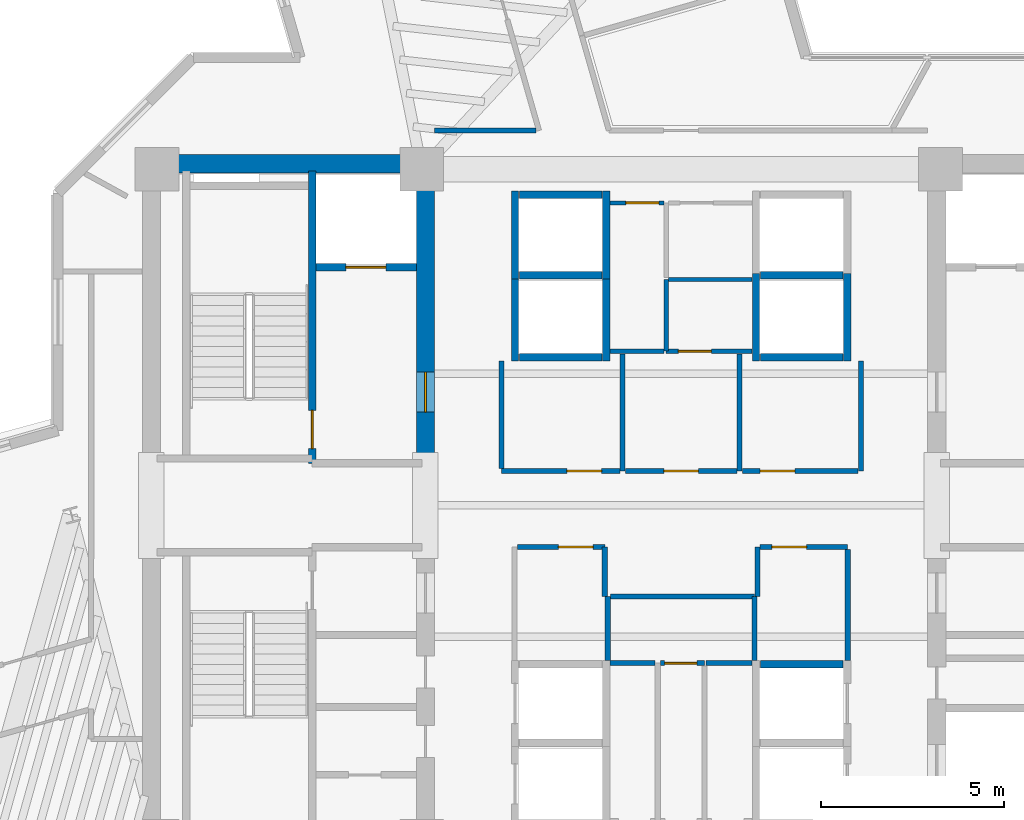
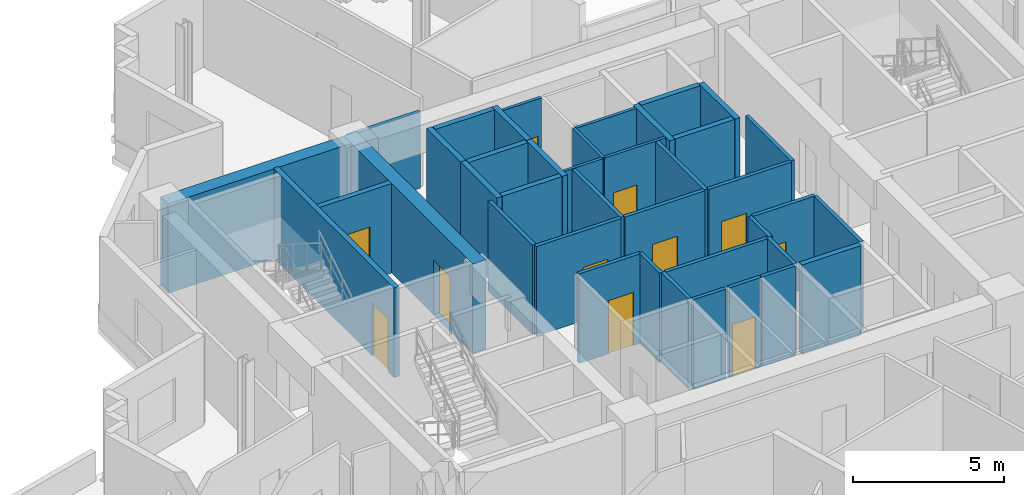
# One storey, part 8 of 14: 40 walls, 11 doors, 11 openings.
"""IFC4 building model written with IfcOpenShell, lengths in metres."""

from ifc_helpers import new_model, si_unit, direction, frame, frame_2d, origin, place, context, subcontext, project, spatial, rectangle, extrude, source, transform, mapped, material, layer, layer_set, type_object, element, fill, save


model = new_model("IFC4")

# Units and contexts
model_context = context("Model", 3, precision=1e-05, world=origin(), true_north=direction((0.0, 1.0)))
body_context = subcontext(model_context, "Body", "Model", "MODEL_VIEW")
ifc_project = project(units=[si_unit("LENGTHUNIT", "METRE"), si_unit("AREAUNIT", "SQUARE_METRE"), si_unit("VOLUMEUNIT", "CUBIC_METRE"), si_unit("PLANEANGLEUNIT", "RADIAN"), si_unit("MASSUNIT", "GRAM", prefix="KILO")], contexts=[model_context])

# Site, building, storey
site_placement = place(None, origin())
site = spatial("IfcSite", under=ifc_project, at=site_placement, CompositionType="ELEMENT")
building_placement = place(site_placement, origin())
building = spatial("IfcBuilding", under=site, at=building_placement, Name="Zahravan Cultural Tower", CompositionType="ELEMENT")
storey_placement = place(building_placement, frame((0.0, 0.0, 201.89990234375)))
storey = spatial("IfcBuildingStorey", under=building, at=storey_placement, Name="L47", CompositionType="ELEMENT", Elevation=201.89990234375)

# Wall, opening, door
ifc_material_1 = material(Name="Concrete C60/75", Category="concrete")
ifc_layer_1 = layer(ifc_material_1, 0.5)
ifc_layer_set_1 = layer_set([ifc_layer_1], Name="Concrete C60/75")
wall_type_1 = type_object("IfcWallType", Name="CW-SHEAR-500-C60", PredefinedType="SHEAR", material=ifc_layer_set_1)
wall_1_placement = place(storey_placement, frame((29.0, 28.050048828125, 0.0), z_axis=(0.0, 0.0, 1.0), x_axis=(0.0, 1.0, 0.0)))
wall_1 = element("IfcWall", 1, at=wall_1_placement, inside=storey, type_object=wall_type_1, Name="L47 Core Shear Wall CW-W-EN-L47", PredefinedType="SHEAR", context=body_context, shape_type="SweptSolid", body=[
    extrude(rectangle(XDim=8.550048828125, YDim=0.5, at=frame_2d((4.27490234375, 0.0))), origin(), (0.0, 0.0, 1.0), 3.6201171875),
])
opening_1_placement = place(wall_1_placement, frame((1.5, 0.0, 0.0)))
opening_1 = element("IfcOpeningElement", 2, at=opening_1_placement, cuts=wall_1, Name="Opening D-L47-05", PredefinedType="OPENING", context=body_context, shape_type="SweptSolid", body=[
    extrude(rectangle(XDim=1.10009765625, YDim=2.199951171875, at=frame_2d((0.550048828125, 1.10009765625))), frame((0.0, 0.260009765625, 0.0), z_axis=(0.0, -1.0, 0.0), x_axis=(1.0, 0.0, 0.0)), (0.0, 0.0, 1.0), 0.52001953125),
])
ifc_material_2 = material(Name="Steel ASTM A572 Grade 50", Category="steel")
door_type_1 = type_object("IfcDoorType", Name="DR-LOBBY-1100", OperationType="NOTDEFINED", PredefinedType="DOOR", material=ifc_material_2)
shared_shape_1 = source(origin(), body_context, "Body", "SweptSolid", [
    extrude(rectangle(XDim=1.10009765625, YDim=2.199951171875, at=frame_2d((0.550048828125, 1.10009765625))), frame((0.0, 0.02490234375, 0.0), z_axis=(0.0, -1.0, 0.0), x_axis=(1.0, 0.0, 0.0)), (0.0, 0.0, 1.0), 0.050048828125),
])
door_1_placement = place(opening_1_placement, origin())
door_1 = element("IfcDoor", 3, at=door_1_placement, inside=storey, type_object=door_type_1, Name="L47 Door D-L47-05", OperationType="SINGLE_SWING_LEFT", OverallHeight=2.199951171875, OverallWidth=1.10009765625, PredefinedType="DOOR", context=body_context, shape_type="MappedRepresentation", body=[
    mapped(shared_shape_1, transform((0.0, 0.0, 0.0), x_axis=(1.0, 0.0, 0.0), y_axis=(0.0, 1.0, 0.0), z_axis=(0.0, 0.0, 1.0), scale=1.0)),
])
fill(opening_1, door_1)

ifc_material_3 = material(Name="Gypsum plasterboard partition")
ifc_layer_2 = layer(ifc_material_3, 0.139892578125)
ifc_layer_set_2 = layer_set([ifc_layer_2], Name="Gypsum plasterboard partition")
wall_type_2 = type_object("IfcWallType", Name="W-PART-140", PredefinedType="PARTITIONING", material=ifc_layer_set_2)
wall_2_placement = place(storey_placement, frame((35.43505859375, 22.679931640625, 0.0), z_axis=(0.0, 0.0, 1.0), x_axis=(1.0, 0.0, 0.0)))
wall_2 = element("IfcWall", 4, at=wall_2_placement, inside=storey, type_object=wall_type_2, Name="L47 Interior Wall 063", PredefinedType="PARTITIONING", context=body_context, shape_type="SweptSolid", body=[
    extrude(rectangle(XDim=1.204833984375, YDim=0.139892578125, at=frame_2d((0.6025390625, 0.0))), origin(), (0.0, 0.0, 1.0), 3.6201171875),
])
opening_2_placement = place(wall_2_placement, frame((0.11376953125, 0.0, 0.0)))
opening_2 = element("IfcOpeningElement", 5, at=opening_2_placement, cuts=wall_2, Name="Opening D-L47-34", PredefinedType="OPENING", context=body_context, shape_type="SweptSolid", body=[
    extrude(rectangle(XDim=0.8798828125, YDim=2.10009765625, at=frame_2d((0.43994140625, 1.050048828125))), frame((0.0, 0.079833984375, 0.0), z_axis=(0.0, -1.0, 0.0), x_axis=(1.0, 0.0, 0.0)), (0.0, 0.0, 1.0), 0.159912109375),
])
ifc_material_4 = material(Name="Anodised bronze-aluminium mullion", Category="aluminium")
door_type_2 = type_object("IfcDoorType", Name="DR-ROOM-880", OperationType="NOTDEFINED", PredefinedType="DOOR", material=ifc_material_4)
shared_shape_2 = source(origin(), body_context, "Body", "SweptSolid", [
    extrude(rectangle(XDim=0.8798828125, YDim=2.10009765625, at=frame_2d((0.43994140625, 1.050048828125))), frame((0.0, 0.02490234375, 0.0), z_axis=(0.0, -1.0, 0.0), x_axis=(1.0, 0.0, 0.0)), (0.0, 0.0, 1.0), 0.050048828125),
])
door_2_placement = place(opening_2_placement, origin())
door_2 = element("IfcDoor", 6, at=door_2_placement, inside=storey, type_object=door_type_2, Name="L47 Door D-L47-34", OperationType="SINGLE_SWING_RIGHT", OverallHeight=2.10009765625, OverallWidth=0.8798828125, PredefinedType="DOOR", context=body_context, shape_type="MappedRepresentation", body=[
    mapped(shared_shape_2, transform((0.0, 0.0, 0.0), x_axis=(1.0, 0.0, 0.0), y_axis=(0.0, 1.0, 0.0), z_axis=(0.0, 0.0, 1.0), scale=1.0)),
])
fill(opening_2, door_2)

wall_3_placement = place(storey_placement, frame((31.514892578125, 25.860107421875, 0.0), z_axis=(0.0, 0.0, 1.0), x_axis=(1.0, 0.0, 0.0)))
wall_3 = element("IfcWall", 7, at=wall_3_placement, inside=storey, type_object=wall_type_2, Name="L47 Interior Wall 076", PredefinedType="PARTITIONING", context=body_context, shape_type="SweptSolid", body=[
    extrude(rectangle(XDim=2.39501953125, YDim=0.139892578125, at=frame_2d((1.197509765625, 0.0))), origin(), (0.0, 0.0, 1.0), 3.6201171875),
])
opening_3_placement = place(wall_3_placement, frame((1.127197265625, 0.0, 0.0)))
opening_3 = element("IfcOpeningElement", 8, at=opening_3_placement, cuts=wall_3, Name="Opening D-L47-13", PredefinedType="OPENING", context=body_context, shape_type="SweptSolid", body=[
    extrude(rectangle(XDim=0.949951171875, YDim=2.14990234375, at=frame_2d((0.47509765625, 1.074951171875))), frame((0.0, 0.079833984375, 0.0), z_axis=(0.0, -1.0, 0.0), x_axis=(1.0, 0.0, 0.0)), (0.0, 0.0, 1.0), 0.159912109375),
])
door_type_3 = type_object("IfcDoorType", Name="DR-ROOM-950", OperationType="NOTDEFINED", PredefinedType="DOOR", material=ifc_material_4)
shared_shape_3 = source(origin(), body_context, "Body", "SweptSolid", [
    extrude(rectangle(XDim=0.949951171875, YDim=2.14990234375, at=frame_2d((0.47509765625, 1.074951171875))), frame((0.0, 0.02490234375, 0.0), z_axis=(0.0, -1.0, 0.0), x_axis=(1.0, 0.0, 0.0)), (0.0, 0.0, 1.0), 0.050048828125),
])
door_3_placement = place(opening_3_placement, origin())
door_3 = element("IfcDoor", 9, at=door_3_placement, inside=storey, type_object=door_type_3, Name="L47 Door D-L47-13", OperationType="SINGLE_SWING_LEFT", OverallHeight=2.14990234375, OverallWidth=0.949951171875, PredefinedType="DOOR", context=body_context, shape_type="MappedRepresentation", body=[
    mapped(shared_shape_3, transform((0.0, 0.0, 0.0), x_axis=(1.0, 0.0, 0.0), y_axis=(0.0, 1.0, 0.0), z_axis=(0.0, 0.0, 1.0), scale=1.0)),
])
fill(opening_3, door_3)

wall_4_placement = place(storey_placement, frame((38.1650390625, 25.860107421875, 0.0), z_axis=(0.0, 0.0, 1.0), x_axis=(1.0, 0.0, 0.0)))
wall_4 = element("IfcWall", 10, at=wall_4_placement, inside=storey, type_object=wall_type_2, Name="L47 Interior Wall 079", PredefinedType="PARTITIONING", context=body_context, shape_type="SweptSolid", body=[
    extrude(rectangle(XDim=2.39501953125, YDim=0.139892578125, at=frame_2d((1.197509765625, 0.0))), origin(), (0.0, 0.0, 1.0), 3.6201171875),
])
opening_4_placement = place(wall_4_placement, frame((0.31787109375, 0.0, 0.0)))
opening_4 = element("IfcOpeningElement", 11, at=opening_4_placement, cuts=wall_4, Name="Opening D-L47-14", PredefinedType="OPENING", context=body_context, shape_type="SweptSolid", body=[
    extrude(rectangle(XDim=0.949951171875, YDim=2.14990234375, at=frame_2d((0.47509765625, 1.074951171875))), frame((0.0, 0.079833984375, 0.0), z_axis=(0.0, -1.0, 0.0), x_axis=(1.0, 0.0, 0.0)), (0.0, 0.0, 1.0), 0.159912109375),
])
door_4_placement = place(opening_4_placement, origin())
door_4 = element("IfcDoor", 12, at=door_4_placement, inside=storey, type_object=door_type_3, Name="L47 Door D-L47-14", OperationType="SINGLE_SWING_RIGHT", OverallHeight=2.14990234375, OverallWidth=0.949951171875, PredefinedType="DOOR", context=body_context, shape_type="MappedRepresentation", body=[
    mapped(shared_shape_3, transform((0.0, 0.0, 0.0), x_axis=(1.0, 0.0, 0.0), y_axis=(0.0, 1.0, 0.0), z_axis=(0.0, 0.0, 1.0), scale=1.0)),
])
fill(opening_4, door_4)

wall_5_placement = place(storey_placement, frame((37.52490234375, 27.93994140625, 0.0), z_axis=(0.0, 0.0, 1.0), x_axis=(-1.0, 0.0, 0.0)))
wall_5 = element("IfcWall", 13, at=wall_5_placement, inside=storey, type_object=wall_type_2, Name="L47 Interior Wall 083", PredefinedType="PARTITIONING", context=body_context, shape_type="SweptSolid", body=[
    extrude(rectangle(XDim=3.0498046875, YDim=0.139892578125, at=frame_2d((1.52490234375, 0.0))), origin(), (0.0, 0.0, 1.0), 3.6201171875),
])
opening_5_placement = place(wall_5_placement, frame((1.050048828125, 0.0, 0.0)))
opening_5 = element("IfcOpeningElement", 14, at=opening_5_placement, cuts=wall_5, Name="Opening D-L47-18", PredefinedType="OPENING", context=body_context, shape_type="SweptSolid", body=[
    extrude(rectangle(XDim=0.949951171875, YDim=2.14990234375, at=frame_2d((0.47509765625, 1.074951171875))), frame((0.0, 0.079833984375, 0.0), z_axis=(0.0, -1.0, 0.0), x_axis=(1.0, 0.0, 0.0)), (0.0, 0.0, 1.0), 0.159912109375),
])
door_5_placement = place(opening_5_placement, origin())
door_5 = element("IfcDoor", 15, at=door_5_placement, inside=storey, type_object=door_type_3, Name="L47 Door D-L47-18", OperationType="SINGLE_SWING_RIGHT", OverallHeight=2.14990234375, OverallWidth=0.949951171875, PredefinedType="DOOR", context=body_context, shape_type="MappedRepresentation", body=[
    mapped(shared_shape_3, transform((0.0, 0.0, 0.0), x_axis=(1.0, 0.0, 0.0), y_axis=(0.0, 1.0, 0.0), z_axis=(0.0, 0.0, 1.0), scale=1.0)),
])
fill(opening_5, door_5)

wall_6_placement = place(storey_placement, frame((34.324951171875, 27.93994140625, 0.0), z_axis=(0.0, 0.0, 1.0), x_axis=(-1.0, 0.0, 0.0)))
wall_6 = element("IfcWall", 16, at=wall_6_placement, inside=storey, type_object=wall_type_2, Name="L47 Interior Wall 084", PredefinedType="PARTITIONING", context=body_context, shape_type="SweptSolid", body=[
    extrude(rectangle(XDim=3.244873046875, YDim=0.139892578125, at=frame_2d((1.62255859375, 0.0))), origin(), (0.0, 0.0, 1.0), 3.6201171875),
])
opening_6_placement = place(wall_6_placement, frame((0.5048828125, 0.0, 0.0)))
opening_6 = element("IfcOpeningElement", 17, at=opening_6_placement, cuts=wall_6, Name="Opening D-L47-17", PredefinedType="OPENING", context=body_context, shape_type="SweptSolid", body=[
    extrude(rectangle(XDim=0.949951171875, YDim=2.14990234375, at=frame_2d((0.47509765625, 1.074951171875))), frame((0.0, 0.079833984375, 0.0), z_axis=(0.0, -1.0, 0.0), x_axis=(1.0, 0.0, 0.0)), (0.0, 0.0, 1.0), 0.159912109375),
])
door_6_placement = place(opening_6_placement, origin())
door_6 = element("IfcDoor", 18, at=door_6_placement, inside=storey, type_object=door_type_3, Name="L47 Door D-L47-17", OperationType="SINGLE_SWING_LEFT", OverallHeight=2.14990234375, OverallWidth=0.949951171875, PredefinedType="DOOR", context=body_context, shape_type="MappedRepresentation", body=[
    mapped(shared_shape_3, transform((0.0, 0.0, 0.0), x_axis=(1.0, 0.0, 0.0), y_axis=(0.0, 1.0, 0.0), z_axis=(0.0, 0.0, 1.0), scale=1.0)),
])
fill(opening_6, door_6)

wall_7_placement = place(storey_placement, frame((40.844970703125, 27.93994140625, 0.0), z_axis=(0.0, 0.0, 1.0), x_axis=(-1.0, 0.0, 0.0)))
wall_7 = element("IfcWall", 19, at=wall_7_placement, inside=storey, type_object=wall_type_2, Name="L47 Interior Wall 087", PredefinedType="PARTITIONING", context=body_context, shape_type="SweptSolid", body=[
    extrude(rectangle(XDim=3.169921875, YDim=0.139892578125, at=frame_2d((1.5849609375, 0.0))), origin(), (0.0, 0.0, 1.0), 3.6201171875),
])
opening_7_placement = place(wall_7_placement, frame((1.731689453125, 0.0, 0.0)))
opening_7 = element("IfcOpeningElement", 20, at=opening_7_placement, cuts=wall_7, Name="Opening D-L47-19", PredefinedType="OPENING", context=body_context, shape_type="SweptSolid", body=[
    extrude(rectangle(XDim=0.949951171875, YDim=2.14990234375, at=frame_2d((0.47509765625, 1.074951171875))), frame((0.0, 0.079833984375, 0.0), z_axis=(0.0, -1.0, 0.0), x_axis=(1.0, 0.0, 0.0)), (0.0, 0.0, 1.0), 0.159912109375),
])
door_7_placement = place(opening_7_placement, origin())
door_7 = element("IfcDoor", 21, at=door_7_placement, inside=storey, type_object=door_type_3, Name="L47 Door D-L47-19", OperationType="SINGLE_SWING_LEFT", OverallHeight=2.14990234375, OverallWidth=0.949951171875, PredefinedType="DOOR", context=body_context, shape_type="MappedRepresentation", body=[
    mapped(shared_shape_3, transform((0.0, 0.0, 0.0), x_axis=(1.0, 0.0, 0.0), y_axis=(0.0, 1.0, 0.0), z_axis=(0.0, 0.0, 1.0), scale=1.0)),
])
fill(opening_7, door_7)

ifc_material_5 = material(Name="Concrete C45/55", Category="concrete")
ifc_layer_3 = layer(ifc_material_5, 0.199951171875)
ifc_layer_set_3 = layer_set([ifc_layer_3], Name="Concrete C45/55")
wall_type_3 = type_object("IfcWallType", Name="W-SHAFT-200", PredefinedType="SOLIDWALL", material=ifc_layer_set_3)
wall_8_placement = place(storey_placement, frame((25.89990234375, 28.14990234375, 0.0), z_axis=(0.0, 0.0, 1.0), x_axis=(0.0, 1.0, 0.0)))
wall_8 = element("IfcWall", 22, at=wall_8_placement, inside=storey, type_object=wall_type_3, Name="L47 Interior Wall 006", PredefinedType="SOLIDWALL", context=body_context, shape_type="SweptSolid", body=[
    extrude(rectangle(XDim=8.0, YDim=0.199951171875, at=frame_2d((4.0, 0.0))), origin(), (0.0, 0.0, 1.0), 3.6201171875),
])
opening_8_placement = place(wall_8_placement, frame((0.39990234375, 0.0, 0.0)))
opening_8 = element("IfcOpeningElement", 23, at=opening_8_placement, cuts=wall_8, Name="Opening D-L47-01", PredefinedType="OPENING", context=body_context, shape_type="SweptSolid", body=[
    extrude(rectangle(XDim=1.050048828125, YDim=2.14990234375, at=frame_2d((0.52490234375, 1.074951171875))), frame((0.0, 0.10986328125, 0.0), z_axis=(0.0, -1.0, 0.0), x_axis=(1.0, 0.0, 0.0)), (0.0, 0.0, 1.0), 0.219970703125),
])
door_type_4 = type_object("IfcDoorType", Name="DR-STAIR-1050", OperationType="NOTDEFINED", PredefinedType="DOOR", material=ifc_material_2)
shared_shape_4 = source(origin(), body_context, "Body", "SweptSolid", [
    extrude(rectangle(XDim=1.050048828125, YDim=2.14990234375, at=frame_2d((0.52490234375, 1.074951171875))), frame((0.0, 0.02490234375, 0.0), z_axis=(0.0, -1.0, 0.0), x_axis=(1.0, 0.0, 0.0)), (0.0, 0.0, 1.0), 0.050048828125),
])
door_8_placement = place(opening_8_placement, origin())
door_8 = element("IfcDoor", 24, at=door_8_placement, inside=storey, type_object=door_type_4, Name="L47 Door D-L47-01", OperationType="SINGLE_SWING_LEFT", OverallHeight=2.14990234375, OverallWidth=1.050048828125, PredefinedType="DOOR", context=body_context, shape_type="MappedRepresentation", body=[
    mapped(shared_shape_4, transform((0.0, 0.0, 0.0), x_axis=(1.0, 0.0, 0.0), y_axis=(0.0, 1.0, 0.0), z_axis=(0.0, 0.0, 1.0), scale=1.0)),
])
fill(opening_8, door_8)

wall_9_placement = place(storey_placement, frame((26.0, 33.52001953125, 0.0), z_axis=(0.0, 0.0, 1.0), x_axis=(1.0, 0.0, 0.0)))
wall_9 = element("IfcWall", 25, at=wall_9_placement, inside=storey, type_object=wall_type_3, Name="L47 Interior Wall 021", PredefinedType="SOLIDWALL", context=body_context, shape_type="SweptSolid", body=[
    extrude(rectangle(XDim=2.75, YDim=0.199951171875, at=frame_2d((1.375, 0.0))), origin(), (0.0, 0.0, 1.0), 3.6201171875),
])
opening_9_placement = place(wall_9_placement, frame((0.820068359375, 0.0, 0.0)))
opening_9 = element("IfcOpeningElement", 26, at=opening_9_placement, cuts=wall_9, Name="Opening LD-L47-01", PredefinedType="OPENING", context=body_context, shape_type="SweptSolid", body=[
    extrude(rectangle(XDim=1.10009765625, YDim=2.14990234375, at=frame_2d((0.550048828125, 1.074951171875))), frame((0.0, 0.10986328125, 0.0), z_axis=(0.0, -1.0, 0.0), x_axis=(1.0, 0.0, 0.0)), (0.0, 0.0, 1.0), 0.219970703125),
])
door_type_5 = type_object("IfcDoorType", Name="DR-LIFT-1100", OperationType="DOUBLE_DOOR_SLIDING", PredefinedType="DOOR", material=ifc_material_2)
shared_shape_5 = source(origin(), body_context, "Body", "SweptSolid", [
    extrude(rectangle(XDim=1.10009765625, YDim=2.14990234375, at=frame_2d((0.550048828125, 1.074951171875))), frame((0.0, 0.02490234375, 0.0), z_axis=(0.0, -1.0, 0.0), x_axis=(1.0, 0.0, 0.0)), (0.0, 0.0, 1.0), 0.050048828125),
])
door_9_placement = place(opening_9_placement, origin())
door_9 = element("IfcDoor", 27, at=door_9_placement, inside=storey, type_object=door_type_5, Name="L47 Door LD-L47-01", OperationType="DOUBLE_DOOR_SLIDING", OverallHeight=2.14990234375, OverallWidth=1.10009765625, PredefinedType="DOOR", context=body_context, shape_type="MappedRepresentation", body=[
    mapped(shared_shape_5, transform((0.0, 0.0, 0.0), x_axis=(1.0, 0.0, 0.0), y_axis=(0.0, 1.0, 0.0), z_axis=(0.0, 0.0, 1.0), scale=1.0)),
])
fill(opening_9, door_9)

ifc_layer_4 = layer(ifc_material_3, 0.114990234375)
ifc_layer_set_4 = layer_set([ifc_layer_4], Name="Gypsum plasterboard partition")
wall_type_4 = type_object("IfcWallType", Name="W-WC-115", PredefinedType="PARTITIONING", material=ifc_layer_set_4)
wall_10_placement = place(storey_placement, frame((37.945068359375, 31.219970703125, 0.0), z_axis=(0.0, 0.0, 1.0), x_axis=(-1.0, 0.0, 0.0)))
wall_10 = element("IfcWall", 28, at=wall_10_placement, inside=storey, type_object=wall_type_4, Name="L47 Interior Wall 057", PredefinedType="PARTITIONING", context=body_context, shape_type="SweptSolid", body=[
    extrude(rectangle(XDim=2.35498046875, YDim=0.114990234375, at=frame_2d((1.177490234375, 0.0))), origin(), (0.0, 0.0, 1.0), 3.6201171875),
])
opening_10_placement = place(wall_10_placement, frame((1.120849609375, 0.0, 0.0)))
opening_10 = element("IfcOpeningElement", 29, at=opening_10_placement, cuts=wall_10, Name="Opening D-L47-35", PredefinedType="OPENING", context=body_context, shape_type="SweptSolid", body=[
    extrude(rectangle(XDim=0.89990234375, YDim=2.10009765625, at=frame_2d((0.449951171875, 1.050048828125))), frame((0.0, 0.0673828125, 0.0), z_axis=(0.0, -1.0, 0.0), x_axis=(1.0, 0.0, 0.0)), (0.0, 0.0, 1.0), 0.135009765625),
])
door_type_6 = type_object("IfcDoorType", Name="DR-WC-900", OperationType="NOTDEFINED", PredefinedType="DOOR", material=ifc_material_4)
shared_shape_6 = source(origin(), body_context, "Body", "SweptSolid", [
    extrude(rectangle(XDim=0.89990234375, YDim=2.10009765625, at=frame_2d((0.449951171875, 1.050048828125))), frame((0.0, 0.02490234375, 0.0), z_axis=(0.0, -1.0, 0.0), x_axis=(1.0, 0.0, 0.0)), (0.0, 0.0, 1.0), 0.050048828125),
])
door_10_placement = place(opening_10_placement, origin())
door_10 = element("IfcDoor", 30, at=door_10_placement, inside=storey, type_object=door_type_6, Name="L47 Door D-L47-35", OperationType="SINGLE_SWING_LEFT", OverallHeight=2.10009765625, OverallWidth=0.89990234375, PredefinedType="DOOR", context=body_context, shape_type="MappedRepresentation", body=[
    mapped(shared_shape_6, transform((0.0, 0.0, 0.0), x_axis=(1.0, 0.0, 0.0), y_axis=(0.0, 1.0, 0.0), z_axis=(0.0, 0.0, 1.0), scale=1.0)),
])
fill(opening_10, door_10)

wall_11_placement = place(storey_placement, frame((34.054931640625, 35.280029296875, 0.0), z_axis=(0.0, 0.0, 1.0), x_axis=(1.0, 0.0, 0.0)))
wall_11 = element("IfcWall", 31, at=wall_11_placement, inside=storey, type_object=wall_type_4, Name="L47 Interior Wall 071", PredefinedType="PARTITIONING", context=body_context, shape_type="SweptSolid", body=[
    extrude(rectangle(XDim=1.47265625, YDim=0.114990234375, at=frame_2d((0.736328125, 0.0))), origin(), (0.0, 0.0, 1.0), 3.6201171875),
])
opening_11_placement = place(wall_11_placement, frame((0.4326171875, 0.0, 0.0)))
opening_11 = element("IfcOpeningElement", 32, at=opening_11_placement, cuts=wall_11, Name="Opening D-L47-15", PredefinedType="OPENING", context=body_context, shape_type="SweptSolid", body=[
    extrude(rectangle(XDim=0.89990234375, YDim=2.10009765625, at=frame_2d((0.449951171875, 1.050048828125))), frame((0.0, 0.0673828125, 0.0), z_axis=(0.0, -1.0, 0.0), x_axis=(1.0, 0.0, 0.0)), (0.0, 0.0, 1.0), 0.135009765625),
])
door_11_placement = place(opening_11_placement, origin())
door_11 = element("IfcDoor", 33, at=door_11_placement, inside=storey, type_object=door_type_6, Name="L47 Door D-L47-15", OperationType="SINGLE_SWING_LEFT", OverallHeight=2.10009765625, OverallWidth=0.89990234375, PredefinedType="DOOR", context=body_context, shape_type="MappedRepresentation", body=[
    mapped(shared_shape_6, transform((0.0, 0.0, 0.0), x_axis=(1.0, 0.0, 0.0), y_axis=(0.0, 1.0, 0.0), z_axis=(0.0, 0.0, 1.0), scale=1.0)),
])
fill(opening_11, door_11)

# Walls
shared_shape_7 = source(origin(), body_context, "Body", "SweptSolid", [
    extrude(rectangle(XDim=7.0, YDim=0.5, at=frame_2d((3.5, 0.0))), origin(), (0.0, 0.0, 1.0), 3.6201171875),
])
wall_12_placement = place(storey_placement, frame((21.75, 36.35009765625, 0.0), z_axis=(0.0, 0.0, 1.0), x_axis=(1.0, 0.0, 0.0)))
element("IfcWall", 34, at=wall_12_placement, inside=storey, type_object=wall_type_1, Name="L47 Core Shear Wall CW-W-N-L47", PredefinedType="SHEAR", context=body_context, shape_type="MappedRepresentation", body=[
    mapped(shared_shape_7, transform((0.0, 0.0, 0.0), x_axis=(1.0, 0.0, 0.0), y_axis=(0.0, 1.0, 0.0), z_axis=(0.0, 0.0, 1.0), scale=1.0)),
])
shared_shape_8 = source(origin(), body_context, "Body", "SweptSolid", [
    extrude(rectangle(XDim=2.400146484375, YDim=0.199951171875, at=frame_2d((1.2001953125, 0.0))), origin(), (0.0, 0.0, 1.0), 3.6201171875),
])
for number, where, z_axis, x_axis, name in (
    (35, (31.449951171875, 33.199951171875, 0.0), (0.0, 0.0, 1.0), (0.0, 1.0, 0.0), "L47 Interior Wall 029"),
    (36, (33.949951171875, 33.199951171875, 0.0), (0.0, 0.0, 1.0), (0.0, 1.0, 0.0), "L47 Interior Wall 030"),
    (37, (31.449951171875, 30.949951171875, 0.0), (0.0, 0.0, 1.0), (0.0, 1.0, 0.0), "L47 Interior Wall 033"),
    (38, (33.949951171875, 30.949951171875, 0.0), (0.0, 0.0, 1.0), (0.0, 1.0, 0.0), "L47 Interior Wall 034"),
    (39, (38.050048828125, 30.949951171875, 0.0), (0.0, 0.0, 1.0), (0.0, 1.0, 0.0), "L47 Interior Wall 040"),
    (40, (40.550048828125, 30.949951171875, 0.0), (0.0, 0.0, 1.0), (0.0, 1.0, 0.0), "L47 Interior Wall 041"),
):
    element("IfcWall", number, at=place(storey_placement, frame(where, z_axis=z_axis, x_axis=x_axis)), inside=storey, type_object=wall_type_3, Name=name, PredefinedType="SOLIDWALL", context=body_context, shape_type="MappedRepresentation", body=[
        mapped(shared_shape_8, transform((0.0, 0.0, 0.0), x_axis=(1.0, 0.0, 0.0), y_axis=(0.0, 1.0, 0.0), z_axis=(0.0, 0.0, 1.0), scale=1.0)),
    ])
shared_shape_9 = source(origin(), body_context, "Body", "SweptSolid", [
    extrude(rectangle(XDim=2.260009765625, YDim=0.199951171875, at=frame_2d((1.1298828125, 0.0))), origin(), (0.0, 0.0, 1.0), 3.6201171875),
])
for number, where, z_axis, x_axis, name in (
    (41, (31.570068359375, 33.300048828125, 0.0), (0.0, 0.0, 1.0), (1.0, 0.0, 0.0), "L47 Interior Wall 031"),
    (42, (31.570068359375, 35.5, 0.0), (0.0, 0.0, 1.0), (1.0, 0.0, 0.0), "L47 Interior Wall 032"),
    (43, (31.570068359375, 31.050048828125, 0.0), (0.0, 0.0, 1.0), (1.0, 0.0, 0.0), "L47 Interior Wall 035"),
    (44, (38.169921875, 33.300048828125, 0.0), (0.0, 0.0, 1.0), (1.0, 0.0, 0.0), "L47 Interior Wall 038"),
    (45, (38.169921875, 31.050048828125, 0.0), (0.0, 0.0, 1.0), (1.0, 0.0, 0.0), "L47 Interior Wall 042"),
    (46, (38.169921875, 22.64990234375, 0.0), (0.0, 0.0, 1.0), (1.0, 0.0, 0.0), "L47 Interior Wall 053"),
):
    element("IfcWall", number, at=place(storey_placement, frame(where, z_axis=z_axis, x_axis=x_axis)), inside=storey, type_object=wall_type_3, Name=name, PredefinedType="SOLIDWALL", context=body_context, shape_type="MappedRepresentation", body=[
        mapped(shared_shape_9, transform((0.0, 0.0, 0.0), x_axis=(1.0, 0.0, 0.0), y_axis=(0.0, 1.0, 0.0), z_axis=(0.0, 0.0, 1.0), scale=1.0)),
    ])
shared_shape_10 = source(origin(), body_context, "Body", "SweptSolid", [
    extrude(rectangle(XDim=1.9599609375, YDim=0.114990234375, at=frame_2d((0.97998046875, 0.0))), origin(), (0.0, 0.0, 1.0), 3.6201171875),
])
wall_13_placement = place(storey_placement, frame((35.590087890625, 31.219970703125, 0.0), z_axis=(0.0, 0.0, 1.0), x_axis=(0.0, 1.0, 0.0)))
element("IfcWall", 47, at=wall_13_placement, inside=storey, type_object=wall_type_4, Name="L47 Interior Wall 058", PredefinedType="PARTITIONING", context=body_context, shape_type="MappedRepresentation", body=[
    mapped(shared_shape_10, transform((0.0, 0.0, 0.0), x_axis=(1.0, 0.0, 0.0), y_axis=(0.0, 1.0, 0.0), z_axis=(0.0, 0.0, 1.0), scale=1.0)),
])
shared_shape_11 = source(origin(), body_context, "Body", "SweptSolid", [
    extrude(rectangle(XDim=2.29248046875, YDim=0.114990234375, at=frame_2d((1.146240234375, 0.0))), origin(), (0.0, 0.0, 1.0), 3.6201171875),
])
wall_14_placement = place(storey_placement, frame((35.652587890625, 33.179931640625, 0.0), z_axis=(0.0, 0.0, 1.0), x_axis=(1.0, 0.0, 0.0)))
element("IfcWall", 48, at=wall_14_placement, inside=storey, type_object=wall_type_4, Name="L47 Interior Wall 059", PredefinedType="PARTITIONING", context=body_context, shape_type="MappedRepresentation", body=[
    mapped(shared_shape_11, transform((0.0, 0.0, 0.0), x_axis=(1.0, 0.0, 0.0), y_axis=(0.0, 1.0, 0.0), z_axis=(0.0, 0.0, 1.0), scale=1.0)),
])
shared_shape_12 = source(origin(), body_context, "Body", "SweptSolid", [
    extrude(rectangle(XDim=1.22998046875, YDim=0.139892578125, at=frame_2d((0.614990234375, 0.0))), origin(), (0.0, 0.0, 1.0), 3.6201171875),
])
wall_15_placement = place(storey_placement, frame((34.054931640625, 22.679931640625, 0.0), z_axis=(0.0, 0.0, 1.0), x_axis=(1.0, 0.0, 0.0)))
element("IfcWall", 49, at=wall_15_placement, inside=storey, type_object=wall_type_2, Name="L47 Interior Wall 066", PredefinedType="PARTITIONING", context=body_context, shape_type="MappedRepresentation", body=[
    mapped(shared_shape_12, transform((0.0, 0.0, 0.0), x_axis=(1.0, 0.0, 0.0), y_axis=(0.0, 1.0, 0.0), z_axis=(0.0, 0.0, 1.0), scale=1.0)),
])
shared_shape_13 = source(origin(), body_context, "Body", "SweptSolid", [
    extrude(rectangle(XDim=1.26513671875, YDim=0.139892578125, at=frame_2d((0.632568359375, 0.0))), origin(), (0.0, 0.0, 1.0), 3.6201171875),
])
wall_16_placement = place(storey_placement, frame((36.679931640625, 22.679931640625, 0.0), z_axis=(0.0, 0.0, 1.0), x_axis=(1.0, 0.0, 0.0)))
element("IfcWall", 50, at=wall_16_placement, inside=storey, type_object=wall_type_2, Name="L47 Interior Wall 068", PredefinedType="PARTITIONING", context=body_context, shape_type="MappedRepresentation", body=[
    mapped(shared_shape_13, transform((0.0, 0.0, 0.0), x_axis=(1.0, 0.0, 0.0), y_axis=(0.0, 1.0, 0.0), z_axis=(0.0, 0.0, 1.0), scale=1.0)),
])
shared_shape_14 = source(origin(), body_context, "Body", "SweptSolid", [
    extrude(rectangle(XDim=1.47265625, YDim=0.114990234375, at=frame_2d((0.736328125, 0.0))), origin(), (0.0, 0.0, 1.0), 3.6201171875),
])
wall_17_placement = place(storey_placement, frame((35.527587890625, 31.219970703125, 0.0), z_axis=(0.0, 0.0, 1.0), x_axis=(-1.0, 0.0, 0.0)))
element("IfcWall", 51, at=wall_17_placement, inside=storey, type_object=wall_type_4, Name="L47 Interior Wall 070", PredefinedType="PARTITIONING", context=body_context, shape_type="MappedRepresentation", body=[
    mapped(shared_shape_14, transform((0.0, 0.0, 0.0), x_axis=(1.0, 0.0, 0.0), y_axis=(0.0, 1.0, 0.0), z_axis=(0.0, 0.0, 1.0), scale=1.0)),
])
shared_shape_15 = source(origin(), body_context, "Body", "SweptSolid", [
    extrude(rectangle(XDim=1.760009765625, YDim=0.139892578125, at=frame_2d((0.8798828125, 0.0))), origin(), (0.0, 0.0, 1.0), 3.6201171875),
])
for number, where, z_axis, x_axis, name in (
    (52, (33.989990234375, 22.75, 0.0), (0.0, 0.0, 1.0), (0.0, 1.0, 0.0), "L47 Interior Wall 072"),
    (53, (38.010009765625, 24.510009765625, 0.0), (0.0, 0.0, 1.0), (0.0, -1.0, 0.0), "L47 Interior Wall 074"),
):
    element("IfcWall", number, at=place(storey_placement, frame(where, z_axis=z_axis, x_axis=x_axis)), inside=storey, type_object=wall_type_2, Name=name, PredefinedType="PARTITIONING", context=body_context, shape_type="MappedRepresentation", body=[
        mapped(shared_shape_15, transform((0.0, 0.0, 0.0), x_axis=(1.0, 0.0, 0.0), y_axis=(0.0, 1.0, 0.0), z_axis=(0.0, 0.0, 1.0), scale=1.0)),
    ])
shared_shape_16 = source(origin(), body_context, "Body", "SweptSolid", [
    extrude(rectangle(XDim=3.945068359375, YDim=0.139892578125, at=frame_2d((1.97265625, 0.0))), origin(), (0.0, 0.0, 1.0), 3.6201171875),
])
wall_18_placement = place(storey_placement, frame((34.06494140625, 24.510009765625, 0.0), z_axis=(0.0, 0.0, 1.0), x_axis=(1.0, 0.0, 0.0)))
element("IfcWall", 54, at=wall_18_placement, inside=storey, type_object=wall_type_2, Name="L47 Interior Wall 073", PredefinedType="PARTITIONING", context=body_context, shape_type="MappedRepresentation", body=[
    mapped(shared_shape_16, transform((0.0, 0.0, 0.0), x_axis=(1.0, 0.0, 0.0), y_axis=(0.0, 1.0, 0.0), z_axis=(0.0, 0.0, 1.0), scale=1.0)),
])
shared_shape_17 = source(origin(), body_context, "Body", "SweptSolid", [
    extrude(rectangle(XDim=1.35009765625, YDim=0.139892578125, at=frame_2d((0.675048828125, 0.0))), origin(), (0.0, 0.0, 1.0), 3.6201171875),
])
for number, where, z_axis, x_axis, name in (
    (55, (33.909912109375, 25.860107421875, 0.0), (0.0, 0.0, 1.0), (0.0, -1.0, 0.0), "L47 Interior Wall 077"),
    (56, (38.090087890625, 24.510009765625, 0.0), (0.0, 0.0, 1.0), (0.0, 1.0, 0.0), "L47 Interior Wall 078"),
):
    element("IfcWall", number, at=place(storey_placement, frame(where, z_axis=z_axis, x_axis=x_axis)), inside=storey, type_object=wall_type_2, Name=name, PredefinedType="PARTITIONING", context=body_context, shape_type="MappedRepresentation", body=[
        mapped(shared_shape_17, transform((0.0, 0.0, 0.0), x_axis=(1.0, 0.0, 0.0), y_axis=(0.0, 1.0, 0.0), z_axis=(0.0, 0.0, 1.0), scale=1.0)),
    ])
shared_shape_18 = source(origin(), body_context, "Body", "SweptSolid", [
    extrude(rectangle(XDim=3.034912109375, YDim=0.139892578125, at=frame_2d((1.517578125, 0.0))), origin(), (0.0, 0.0, 1.0), 3.6201171875),
])
wall_19_placement = place(storey_placement, frame((40.56005859375, 25.784912109375, 0.0), z_axis=(0.0, 0.0, 1.0), x_axis=(0.0, -1.0, 0.0)))
element("IfcWall", 57, at=wall_19_placement, inside=storey, type_object=wall_type_2, Name="L47 Interior Wall 080", PredefinedType="PARTITIONING", context=body_context, shape_type="MappedRepresentation", body=[
    mapped(shared_shape_18, transform((0.0, 0.0, 0.0), x_axis=(1.0, 0.0, 0.0), y_axis=(0.0, 1.0, 0.0), z_axis=(0.0, 0.0, 1.0), scale=1.0)),
])
shared_shape_19 = source(origin(), body_context, "Body", "SweptSolid", [
    extrude(rectangle(XDim=3.199951171875, YDim=0.139892578125, at=frame_2d((1.60009765625, 0.0))), origin(), (0.0, 0.0, 1.0), 3.6201171875),
])
for number, where, z_axis, x_axis, name in (
    (58, (34.39990234375, 27.93994140625, 0.0), (0.0, 0.0, 1.0), (0.0, 1.0, 0.0), "L47 Interior Wall 081"),
    (59, (37.60009765625, 31.139892578125, 0.0), (0.0, 0.0, 1.0), (0.0, -1.0, 0.0), "L47 Interior Wall 082"),
):
    element("IfcWall", number, at=place(storey_placement, frame(where, z_axis=z_axis, x_axis=x_axis)), inside=storey, type_object=wall_type_2, Name=name, PredefinedType="PARTITIONING", context=body_context, shape_type="MappedRepresentation", body=[
        mapped(shared_shape_19, transform((0.0, 0.0, 0.0), x_axis=(1.0, 0.0, 0.0), y_axis=(0.0, 1.0, 0.0), z_axis=(0.0, 0.0, 1.0), scale=1.0)),
    ])
shared_shape_20 = source(origin(), body_context, "Body", "SweptSolid", [
    extrude(rectangle(XDim=2.93505859375, YDim=0.139892578125, at=frame_2d((1.467529296875, 0.0))), origin(), (0.0, 0.0, 1.0), 3.6201171875),
])
wall_20_placement = place(storey_placement, frame((31.080078125, 28.014892578125, 0.0), z_axis=(0.0, 0.0, 1.0), x_axis=(0.0, 1.0, 0.0)))
element("IfcWall", 60, at=wall_20_placement, inside=storey, type_object=wall_type_2, Name="L47 Interior Wall 085", PredefinedType="PARTITIONING", context=body_context, shape_type="MappedRepresentation", body=[
    mapped(shared_shape_20, transform((0.0, 0.0, 0.0), x_axis=(1.0, 0.0, 0.0), y_axis=(0.0, 1.0, 0.0), z_axis=(0.0, 0.0, 1.0), scale=1.0)),
])
shared_shape_21 = source(origin(), body_context, "Body", "SweptSolid", [
    extrude(rectangle(XDim=3.010009765625, YDim=0.139892578125, at=frame_2d((1.5048828125, 0.0))), origin(), (0.0, 0.0, 1.0), 3.6201171875),
])
wall_21_placement = place(storey_placement, frame((40.919921875, 30.949951171875, 0.0), z_axis=(0.0, 0.0, 1.0), x_axis=(0.0, -1.0, 0.0)))
element("IfcWall", 61, at=wall_21_placement, inside=storey, type_object=wall_type_2, Name="L47 Interior Wall 086", PredefinedType="PARTITIONING", context=body_context, shape_type="MappedRepresentation", body=[
    mapped(shared_shape_21, transform((0.0, 0.0, 0.0), x_axis=(1.0, 0.0, 0.0), y_axis=(0.0, 1.0, 0.0), z_axis=(0.0, 0.0, 1.0), scale=1.0)),
])
shared_shape_22 = source(origin(), body_context, "Body", "SweptSolid", [
    extrude(rectangle(XDim=2.776123046875, YDim=0.139892578125, at=frame_2d((1.38818359375, 0.0))), origin(), (0.0, 0.0, 1.0), 3.0791015625),
])
wall_22_placement = place(storey_placement, frame((32.031005859375, 37.260009765625, 0.0), z_axis=(0.0, 0.0, 1.0), x_axis=(-0.999999903325, -0.000439715022, 0.0)))
element("IfcWall", 62, at=wall_22_placement, inside=storey, type_object=wall_type_2, Name="L47 Interior Wall 121", PredefinedType="PARTITIONING", context=body_context, shape_type="MappedRepresentation", body=[
    mapped(shared_shape_22, transform((0.0, 0.0, 0.0), x_axis=(1.0, 0.0, 0.0), y_axis=(0.0, 1.0, 0.0), z_axis=(0.0, 0.0, 1.0), scale=1.0)),
])

save(model, "model.ifc")
